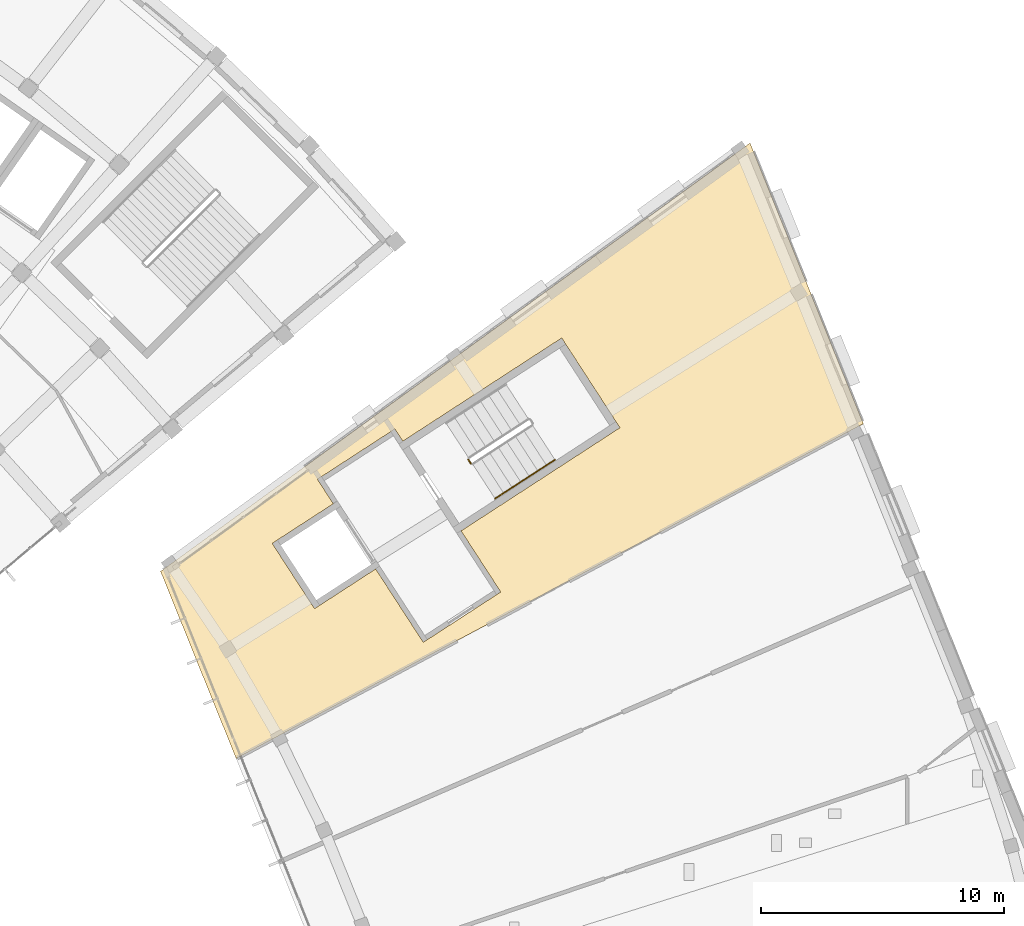
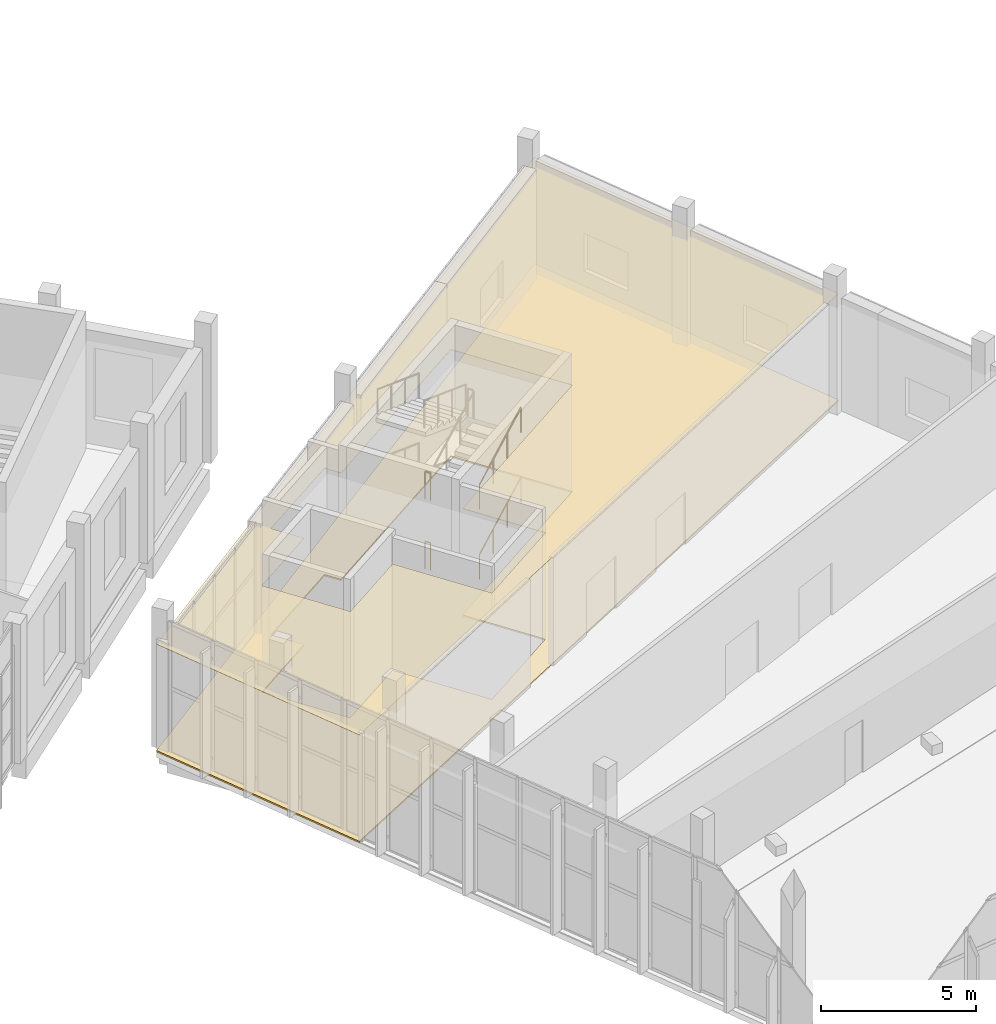
# One storey, part 77 of 87: 4 railings, 2 coverings.
"""IFC4 building model written with IfcOpenShell, lengths in metres."""

from ifc_helpers import new_model, si_unit, direction, frame, origin, origin_2d, place, context, subcontext, project, spatial, polyline, circle, outline, extrude, material, layer, layer_set, type_object, element, save


model = new_model("IFC4")

# Units and contexts
model_context = context("Model", 3, precision=1e-05, world=origin(), true_north=direction((0.0, 1.0)))
body_context = subcontext(model_context, "Body", "Model", "MODEL_VIEW")
ifc_project = project(units=[si_unit("LENGTHUNIT", "METRE"), si_unit("AREAUNIT", "SQUARE_METRE"), si_unit("VOLUMEUNIT", "CUBIC_METRE"), si_unit("PLANEANGLEUNIT", "RADIAN"), si_unit("MASSUNIT", "GRAM", prefix="KILO")], contexts=[model_context])

# Site, building, storey
site_placement = place(None, origin())
site = spatial("IfcSite", under=ifc_project, at=site_placement, CompositionType="ELEMENT")
building_placement = place(site_placement, origin())
building = spatial("IfcBuilding", under=site, at=building_placement, Name="Lunette Opera House", CompositionType="ELEMENT")
storey_placement = place(building_placement, frame((0.0, 0.0, 11.5)))
storey = spatial("IfcBuildingStorey", under=building, at=storey_placement, Name="L02", CompositionType="ELEMENT", Elevation=11.5)

# Railings
ifc_material_1 = material(Name="Steel S355", Category="steel")
railing_type_1 = type_object("IfcRailingType", Name="STAIR GUARD 1100", PredefinedType="GUARDRAIL", material=ifc_material_1)
for number, where, name in (
    (1, (157.319091796875, 39.701416015625, 2.75), "L02 ST21 stair guard 4"),
    (2, (157.319091796875, 39.701416015625, 0.0), "L02 ST21 stair guard 8"),
):
    element("IfcRailing", number, at=place(storey_placement, frame(where)), inside=storey, type_object=railing_type_1, Name=name, PredefinedType="GUARDRAIL", context=body_context, shape_type="SweptSolid", body=[
        extrude(circle(Radius=0.02392578125, at=origin_2d()), frame((0.0, 0.0, 1.076171875), z_axis=(-0.544816974725, 0.838554985706, 0.0), x_axis=(-0.838554985706, -0.544816974725, 0.0)), (0.0, 0.0, 1.0), 0.2001953125),
        extrude(circle(Radius=0.02099609375, at=origin_2d()), origin(), (0.0, 0.0, 1.0), 1.052001953125),
        extrude(circle(Radius=0.02099609375, at=origin_2d()), frame((-0.109130859375, 0.16796875, 0.0)), (0.0, 0.0, 1.0), 1.052001953125),
    ])
ifc_material_2 = material(Name="Steel S355", Category="steel")
railing_type_2 = type_object("IfcRailingType", Name="STAIR HANDRAIL 1000", PredefinedType="HANDRAIL", material=ifc_material_2)
for number, where, name in (
    (3, (158.314208984375, 38.260986328125, 0.171875), "L02 ST21 stair handrail 1"),
    (4, (158.314208984375, 38.260986328125, 2.921875), "L02 ST21 stair handrail 3"),
):
    element("IfcRailing", number, at=place(storey_placement, frame(where)), inside=storey, type_object=railing_type_2, Name=name, PredefinedType="HANDRAIL", context=body_context, shape_type="SweptSolid", body=[
        extrude(circle(Radius=0.02392578125, at=origin_2d()), frame((0.0, 0.0, 0.97607421875), z_axis=(0.776167955347, 0.504097991794, 0.378745983162), x_axis=(-0.544675991122, 0.838646567211, 0.0)), (0.0, 0.0, 1.0), 3.176513671875),
        extrude(circle(Radius=0.02099609375, at=origin_2d()), origin(), (0.0, 0.0, 1.0), 0.951904296875),
        extrude(circle(Radius=0.02099609375, at=origin_2d()), frame((0.82177734375, 0.53369140625, 0.401123046875)), (0.0, 0.0, 1.0), 0.951904296875),
        extrude(circle(Radius=0.02099609375, at=origin_2d()), frame((1.643798828125, 1.067626953125, 0.802001953125)), (0.0, 0.0, 1.0), 0.951904296875),
        extrude(circle(Radius=0.02099609375, at=origin_2d()), frame((2.465576171875, 1.601318359375, 1.203125)), (0.0, 0.0, 1.0), 0.951904296875),
    ])

# Coverings
ifc_material_3 = material(Name="Mineral fibre board")
ifc_layer_1 = layer(ifc_material_3, 0.014892578125)
ifc_layer_set_1 = layer_set([ifc_layer_1], Name="Mineral fibre board")
covering_type_1 = type_object("IfcCoveringType", Name="SUSPENDED ACOUSTIC CEILING 15", PredefinedType="CEILING", material=ifc_layer_set_1)
covering_1_placement = place(storey_placement, frame((0.0, 0.0, 4.235107421875)))
element("IfcCovering", 5, at=covering_1_placement, inside=storey, type_object=covering_type_1, Name="Ceiling Studio Theatre Upper Foyer", PredefinedType="CEILING", context=body_context, shape_type="SweptSolid", body=[
    extrude(outline(polyline([(168.81201171875, 52.90087890625), (173.48095703125, 41.345947265625), (147.653076171875, 27.56298828125), (144.541015625, 35.26708984375), (168.81201171875, 52.90087890625)]), holes=[polyline([(153.39794921875, 35.366943359375), (155.35791015625, 32.346923828125), (158.5458984375, 34.4169921875), (156.912109375, 36.93310546875), (163.452880859375, 41.180908203125), (161.056884765625, 44.8720703125), (154.51611328125, 40.623046875), (154.18896484375, 41.126953125), (151.0009765625, 39.056884765625), (151.655029296875, 38.050048828125), (149.138916015625, 36.4169921875), (150.882080078125, 33.73291015625), (153.39794921875, 35.366943359375)])]), origin(), (0.0, 0.0, 1.0), 0.014892578125),
])
ifc_material_4 = material(Name="Terrazzo")
ifc_layer_2 = layer(ifc_material_4, 0.06005859375)
ifc_layer_set_2 = layer_set([ifc_layer_2], Name="Terrazzo")
covering_type_2 = type_object("IfcCoveringType", Name="TERRAZZO FLOOR FINISH 60", PredefinedType="FLOORING", material=ifc_layer_set_2)
covering_2_placement = place(storey_placement, origin())
element("IfcCovering", 6, at=covering_2_placement, inside=storey, type_object=covering_type_2, Name="Floor finish Studio Theatre Upper Foyer", PredefinedType="FLOORING", context=body_context, shape_type="SweptSolid", body=[
    extrude(outline(polyline([(168.81201171875, 52.90087890625), (173.48095703125, 41.345947265625), (147.653076171875, 27.56298828125), (144.541015625, 35.26708984375), (168.81201171875, 52.90087890625)]), holes=[polyline([(153.39794921875, 35.366943359375), (155.35791015625, 32.346923828125), (158.5458984375, 34.4169921875), (156.912109375, 36.93310546875), (163.452880859375, 41.180908203125), (161.056884765625, 44.8720703125), (154.51611328125, 40.623046875), (154.18896484375, 41.126953125), (151.0009765625, 39.056884765625), (151.655029296875, 38.050048828125), (149.138916015625, 36.4169921875), (150.882080078125, 33.73291015625), (153.39794921875, 35.366943359375)])]), origin(), (0.0, 0.0, 1.0), 0.06005859375),
])

save(model, "model.ifc")
